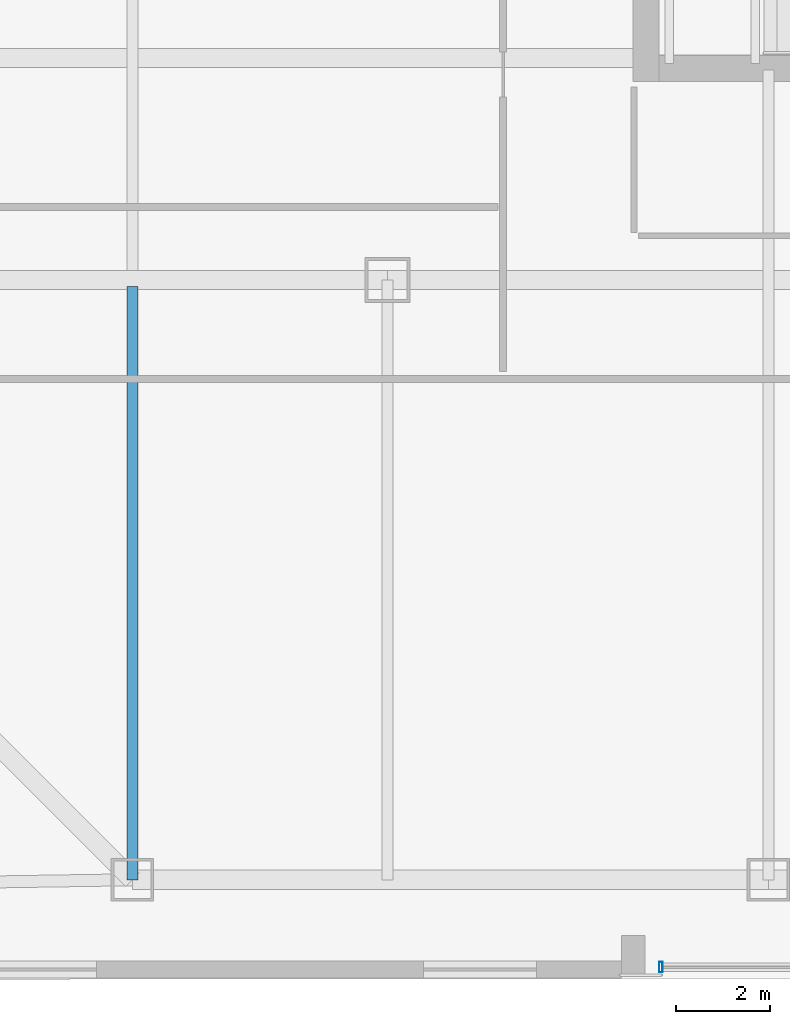
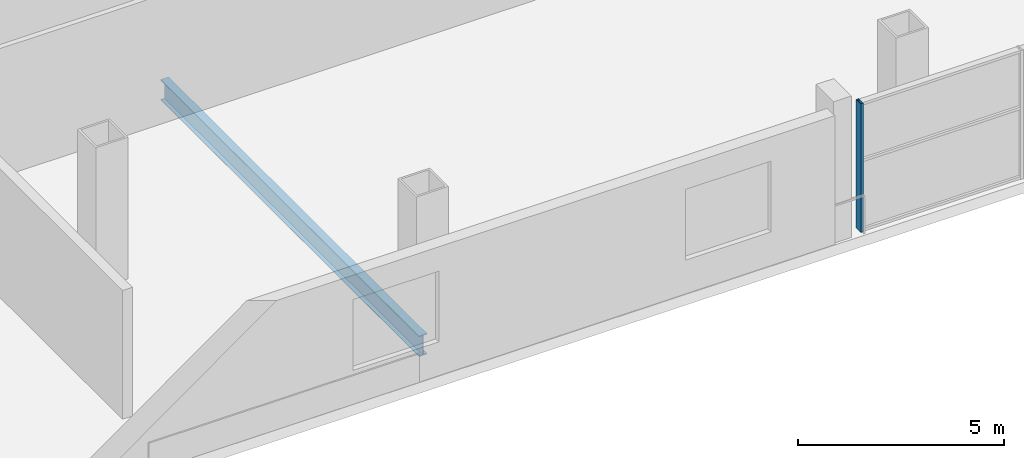
# One storey, part 2 of 21: 1 beam, 1 member, 1 element without a shape of its own.
"""IFC4 building model written with IfcOpenShell, lengths in metres."""

from ifc_helpers import new_model, si_unit, direction, frame, origin, origin_2d, place, context, subcontext, project, spatial, hollow_rectangle, i_section, extrude, material, layer, layer_set, material_profile, profile_set, type_object, element, aggregate, save


model = new_model("IFC4")

# Units and contexts
model_context = context("Model", 3, precision=1e-05, world=origin(), true_north=direction((0.0, 1.0)))
body_context = subcontext(model_context, "Body", "Model", "MODEL_VIEW")
ifc_project = project(units=[si_unit("LENGTHUNIT", "METRE"), si_unit("AREAUNIT", "SQUARE_METRE"), si_unit("VOLUMEUNIT", "CUBIC_METRE"), si_unit("PLANEANGLEUNIT", "RADIAN"), si_unit("MASSUNIT", "GRAM", prefix="KILO")], contexts=[model_context])

# Site, building, storey
site_placement = place(None, origin())
site = spatial("IfcSite", under=ifc_project, at=site_placement, CompositionType="ELEMENT")
building_placement = place(site_placement, origin())
building = spatial("IfcBuilding", under=site, at=building_placement, Name="Qhalaya Broadcast Tower", CompositionType="ELEMENT")
storey_placement = place(building_placement, frame((0.0, 0.0, 17.699951171875)))
storey = spatial("IfcBuildingStorey", under=building, at=storey_placement, Name="L04", CompositionType="ELEMENT", Elevation=17.699951171875)

# Beam
ifc_material_1 = material(Name="Structural Steel ASTM A992 Grade 50", Category="steel")
ifc_material_profile_1 = material_profile(ifc_material_1, i_section(OverallWidth=0.22802734375, OverallDepth=0.60693359375, WebThickness=0.01123046875, FlangeThickness=0.017333984375, at=origin_2d()), Name="W24X76")
ifc_profile_set_1 = profile_set([ifc_material_profile_1], Name="Structural Steel ASTM A992 Grade 50")
beam_type = type_object("IfcBeamType", Name="Composite Floor Joist J01", PredefinedType="JOIST", material=ifc_profile_set_1)
beam_placement = place(storey_placement, frame((-20.199951171875, -25.89990234375, -0.62353515625), z_axis=(0.0, 1.0, 0.0), x_axis=(-1.0, 0.0, 0.0)))
element("IfcBeam", 1, at=beam_placement, inside=storey, type_object=beam_type, Name="L04 J01 L04-JS-S-20.2", PredefinedType="JOIST", context=body_context, shape_type="SweptSolid", body=[
    extrude(i_section(OverallWidth=0.22802734375, OverallDepth=0.60693359375, WebThickness=0.01123046875, FlangeThickness=0.017333984375, at=origin_2d()), origin(), (0.0, 0.0, 1.0), 12.559814453125),
])

# Curtain wall, member
ifc_material_2 = material(Name="Solar-Control Low-E Triple Glazing", Category="glass")
ifc_layer = layer(ifc_material_2, 0.219970703125, Name="Solar-Control Low-E Triple Glazing")
ifc_layer_set = layer_set([ifc_layer], Name="Solar-Control Low-E Triple Glazing")
curtain_wall_type = type_object("IfcCurtainWallType", Name="Podium Concourse Triple-Height Glazed Portal CW-01", PredefinedType="NOTDEFINED", material=ifc_layer_set)
curtain_wall_placement = place(storey_placement, origin())
curtain_wall = element("IfcCurtainWall", 2, at=curtain_wall_placement, inside=storey, type_object=curtain_wall_type, Name="L04 Unitised Curtain Wall L04-CW01-S", PredefinedType="NOTDEFINED")
ifc_material_3 = material(Name="Anodised Aluminium 6063-T6", Category="aluminium")
ifc_material_profile_2 = material_profile(ifc_material_3, hollow_rectangle(XDim=0.074951171875, YDim=0.219970703125, WallThickness=0.00390625, at=origin_2d()), Name="ALU-MUL 75x220x4")
ifc_profile_set_2 = profile_set([ifc_material_profile_2], Name="Anodised Aluminium 6063-T6")
member_type = type_object("IfcMemberType", Name="Unitised Curtain-Wall Mullion M01", PredefinedType="MULLION", material=ifc_profile_set_2)
member_placement = place(storey_placement, frame((-9.012451171875, -27.75, 0.0), z_axis=(0.0, 0.0, 1.0), x_axis=(1.0, 0.0, 0.0)))
member = element("IfcMember", 3, at=member_placement, type_object=member_type, Name="CW-01 mullion 1", PredefinedType="MULLION", context=body_context, shape_type="SweptSolid", body=[
    extrude(hollow_rectangle(XDim=0.074951171875, YDim=0.219970703125, WallThickness=0.00390625, at=origin_2d()), origin(), (0.0, 0.0, 1.0), 3.820068359375),
])
aggregate(curtain_wall, [member])

save(model, "model.ifc")
